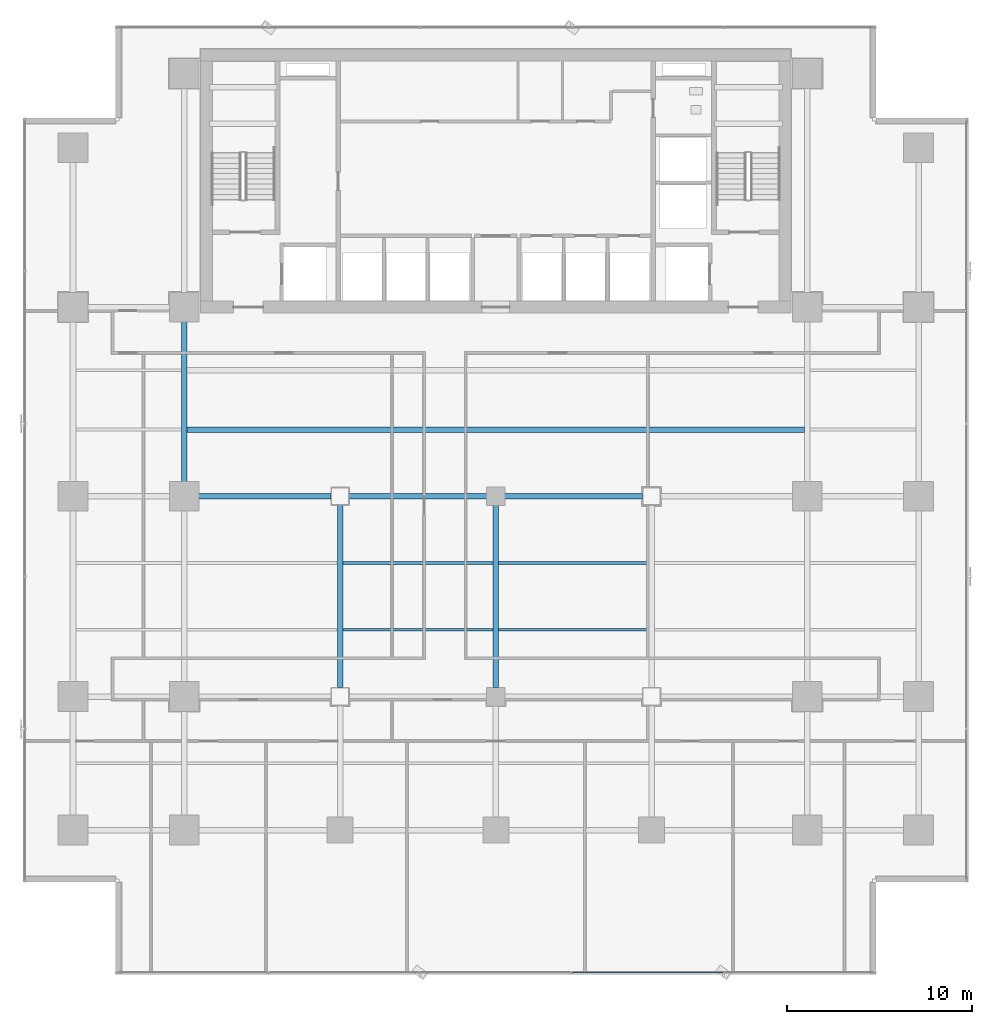
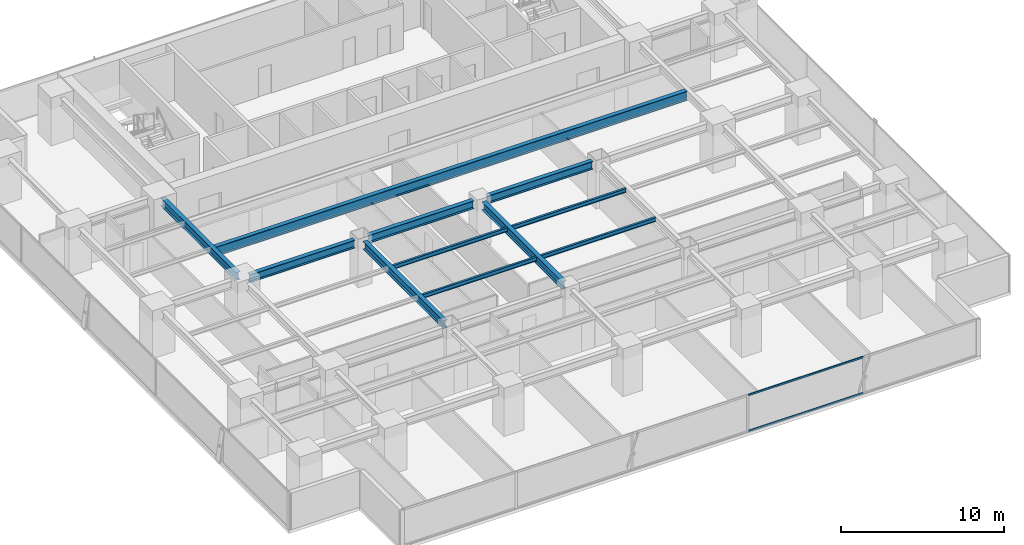
# One storey, part 11 of 37: 11 beams, 2 members, 1 element without a shape of its own.
"""IFC4 building model written with IfcOpenShell, lengths in metres."""

from ifc_helpers import new_model, si_unit, direction, frame, origin, origin_2d, place, context, subcontext, project, spatial, hollow_rectangle, i_section, extrude, source, transform, mapped, material, layer, layer_set, material_profile, profile_set, type_object, element, aggregate, save


model = new_model("IFC4")

# Units and contexts
model_context = context("Model", 3, precision=1e-05, world=origin(), true_north=direction((0.0, 1.0)))
body_context = subcontext(model_context, "Body", "Model", "MODEL_VIEW")
ifc_project = project(units=[si_unit("LENGTHUNIT", "METRE"), si_unit("AREAUNIT", "SQUARE_METRE"), si_unit("VOLUMEUNIT", "CUBIC_METRE"), si_unit("PLANEANGLEUNIT", "RADIAN"), si_unit("MASSUNIT", "GRAM", prefix="KILO")], contexts=[model_context])

# Site, building, storey
site_placement = place(None, origin())
site = spatial("IfcSite", under=ifc_project, at=site_placement, CompositionType="ELEMENT")
building_placement = place(site_placement, origin())
building = spatial("IfcBuilding", under=site, at=building_placement, Name="Sumidabori Civic Tower", CompositionType="ELEMENT")
storey_placement = place(building_placement, frame((0.0, 0.0, 81.199951171875)))
storey = spatial("IfcBuildingStorey", under=building, at=storey_placement, Name="L20", CompositionType="ELEMENT", Elevation=81.199951171875)

# Beams
ifc_material_1 = material(Name="Steel SN490", Category="steel")
ifc_material_profile_1 = material_profile(ifc_material_1, i_section(OverallWidth=0.300048828125, OverallDepth=0.60009765625, WebThickness=0.015380859375, FlangeThickness=0.030029296875, at=origin_2d()), Name="HE 600 B")
ifc_profile_set_1 = profile_set([ifc_material_profile_1], Name="Steel SN490")
beam_type_1 = type_object("IfcBeamType", Name="BM-GIRD-600", PredefinedType="BEAM", material=ifc_profile_set_1)
shared_shape_1 = source(origin(), body_context, "Body", "SweptSolid", [
    extrude(i_section(OverallWidth=0.300048828125, OverallDepth=0.60009765625, WebThickness=0.015380859375, FlangeThickness=0.030029296875, at=origin_2d()), origin(), (0.0, 0.0, 1.0), 7.440185546875),
])
beam_1_placement = place(storey_placement, frame((-16.320068359375, 0.0, 3.06005859375), z_axis=(1.0, 0.0, 0.0), x_axis=(0.0, 1.0, 0.0)))
element("IfcBeam", 1, at=beam_1_placement, inside=storey, type_object=beam_type_1, Name="Primary Girder L20 GX-14", PredefinedType="BEAM", context=body_context, shape_type="MappedRepresentation", body=[
    mapped(shared_shape_1, transform((0.0, 0.0, 0.0), x_axis=(1.0, 0.0, 0.0), y_axis=(0.0, 1.0, 0.0), z_axis=(0.0, 0.0, 1.0), scale=1.0)),
])
shared_shape_2 = source(origin(), body_context, "Body", "SweptSolid", [
    extrude(i_section(OverallWidth=0.300048828125, OverallDepth=0.60009765625, WebThickness=0.015380859375, FlangeThickness=0.030029296875, at=origin_2d()), origin(), (0.0, 0.0, 1.0), 7.43994140625),
])
for number, where, z_axis, x_axis, name in (
    (2, (-7.919921875, 0.0, 3.06005859375), (1.0, 0.0, 0.0), (0.0, 1.0, 0.0), "Primary Girder L20 GX-15"),
    (3, (0.47998046875, 0.0, 3.06005859375), (1.0, 0.0, 0.0), (0.0, 1.0, 0.0), "Primary Girder L20 GX-16"),
):
    element("IfcBeam", number, at=place(storey_placement, frame(where, z_axis=z_axis, x_axis=x_axis)), inside=storey, type_object=beam_type_1, Name=name, PredefinedType="BEAM", context=body_context, shape_type="MappedRepresentation", body=[
        mapped(shared_shape_2, transform((0.0, 0.0, 0.0), x_axis=(1.0, 0.0, 0.0), y_axis=(0.0, 1.0, 0.0), z_axis=(0.0, 0.0, 1.0), scale=1.0)),
    ])
shared_shape_3 = source(origin(), body_context, "Body", "SweptSolid", [
    extrude(i_section(OverallWidth=0.300048828125, OverallDepth=0.60009765625, WebThickness=0.015380859375, FlangeThickness=0.030029296875, at=origin_2d()), origin(), (0.0, 0.0, 1.0), 9.840087890625),
])
for number, where, z_axis, x_axis, name in (
    (4, (-8.39990234375, -10.320068359375, 3.06005859375), (0.0, 1.0, 0.0), (-1.0, 0.0, 0.0), "Primary Girder L20 GY-30"),
    (5, (0.0, -10.320068359375, 3.06005859375), (0.0, 1.0, 0.0), (-1.0, 0.0, 0.0), "Primary Girder L20 GY-32"),
):
    element("IfcBeam", number, at=place(storey_placement, frame(where, z_axis=z_axis, x_axis=x_axis)), inside=storey, type_object=beam_type_1, Name=name, PredefinedType="BEAM", context=body_context, shape_type="MappedRepresentation", body=[
        mapped(shared_shape_3, transform((0.0, 0.0, 0.0), x_axis=(1.0, 0.0, 0.0), y_axis=(0.0, 1.0, 0.0), z_axis=(0.0, 0.0, 1.0), scale=1.0)),
    ])
shared_shape_4 = source(origin(), body_context, "Body", "SweptSolid", [
    extrude(i_section(OverallWidth=0.300048828125, OverallDepth=0.60009765625, WebThickness=0.015380859375, FlangeThickness=0.030029296875, at=origin_2d()), origin(), (0.0, 0.0, 1.0), 9.239990234375),
])
beam_2_placement = place(storey_placement, frame((-16.800048828125, 0.47998046875, 3.06005859375), z_axis=(0.0, 1.0, 0.0), x_axis=(-1.0, 0.0, 0.0)))
element("IfcBeam", 6, at=beam_2_placement, inside=storey, type_object=beam_type_1, Name="Primary Girder L20 GY-27", PredefinedType="BEAM", context=body_context, shape_type="MappedRepresentation", body=[
    mapped(shared_shape_4, transform((0.0, 0.0, 0.0), x_axis=(1.0, 0.0, 0.0), y_axis=(0.0, 1.0, 0.0), z_axis=(0.0, 0.0, 1.0), scale=1.0)),
])
ifc_material_profile_2 = material_profile(ifc_material_1, i_section(OverallWidth=0.300048828125, OverallDepth=0.699951171875, WebThickness=0.01708984375, FlangeThickness=0.031982421875, at=origin_2d()), Name="HE 700 B")
ifc_profile_set_2 = profile_set([ifc_material_profile_2], Name="Steel SN490")
beam_type_2 = type_object("IfcBeamType", Name="BM-GIRD-700", PredefinedType="BEAM", material=ifc_profile_set_2)
shared_shape_5 = source(origin(), body_context, "Body", "SweptSolid", [
    extrude(i_section(OverallWidth=0.300048828125, OverallDepth=0.699951171875, WebThickness=0.01708984375, FlangeThickness=0.031982421875, at=origin_2d()), origin(), (0.0, 0.0, 1.0), 33.2998046875),
])
beam_3_placement = place(storey_placement, frame((-16.64990234375, 3.60009765625, 3.010009765625), z_axis=(1.0, 0.0, 0.0), x_axis=(0.0, 1.0, 0.0)))
element("IfcBeam", 7, at=beam_3_placement, inside=storey, type_object=beam_type_2, Name="North Bay Floor Beam L20 JSTN-53", PredefinedType="BEAM", context=body_context, shape_type="MappedRepresentation", body=[
    mapped(shared_shape_5, transform((0.0, 0.0, 0.0), x_axis=(1.0, 0.0, 0.0), y_axis=(0.0, 1.0, 0.0), z_axis=(0.0, 0.0, 1.0), scale=1.0)),
])
ifc_material_profile_3 = material_profile(ifc_material_1, i_section(OverallWidth=0.14990234375, OverallDepth=0.300048828125, WebThickness=0.007080078125, FlangeThickness=0.0107421875, at=origin_2d()), Name="IPE 300")
ifc_profile_set_3 = profile_set([ifc_material_profile_3], Name="Steel SN490")
beam_type_3 = type_object("IfcBeamType", Name="BM-JST-300", PredefinedType="JOIST", material=ifc_profile_set_3)
shared_shape_6 = source(origin(), body_context, "Body", "SweptSolid", [
    extrude(i_section(OverallWidth=0.14990234375, OverallDepth=0.300048828125, WebThickness=0.007080078125, FlangeThickness=0.0107421875, at=origin_2d()), origin(), (0.0, 0.0, 1.0), 8.10009765625),
])
for number, where, z_axis, x_axis, name in (
    (8, (-8.25, -7.199951171875, 3.2099609375), (1.0, 0.0, 0.0), (0.0, 1.0, 0.0), "South Bay Floor Joist L20 JSTS-60"),
    (9, (0.14990234375, -7.199951171875, 3.2099609375), (1.0, 0.0, 0.0), (0.0, 1.0, 0.0), "South Bay Floor Joist L20 JSTS-61"),
    (10, (-8.25, -3.60009765625, 3.2099609375), (1.0, 0.0, 0.0), (0.0, 1.0, 0.0), "South Bay Floor Joist L20 JSTS-64"),
    (11, (0.14990234375, -3.60009765625, 3.2099609375), (1.0, 0.0, 0.0), (0.0, 1.0, 0.0), "South Bay Floor Joist L20 JSTS-65"),
):
    element("IfcBeam", number, at=place(storey_placement, frame(where, z_axis=z_axis, x_axis=x_axis)), inside=storey, type_object=beam_type_3, Name=name, PredefinedType="JOIST", context=body_context, shape_type="MappedRepresentation", body=[
        mapped(shared_shape_6, transform((0.0, 0.0, 0.0), x_axis=(1.0, 0.0, 0.0), y_axis=(0.0, 1.0, 0.0), z_axis=(0.0, 0.0, 1.0), scale=1.0)),
    ])

# Curtain wall, members
ifc_material_2 = material(Name="Anodised Bronze Aluminium AW-6063-T6", Category="aluminium")
ifc_layer = layer(ifc_material_2, 0.179931640625, Name="Anodised Bronze Aluminium AW-6063-T6")
ifc_layer_set = layer_set([ifc_layer], Name="Anodised Bronze Aluminium AW-6063-T6")
curtain_wall_type = type_object("IfcCurtainWallType", Name="CW-SYS-3", PredefinedType="NOTDEFINED", material=ifc_layer_set)
curtain_wall_placement = place(storey_placement, origin())
curtain_wall = element("IfcCurtainWall", 12, at=curtain_wall_placement, inside=storey, type_object=curtain_wall_type, Name="Curtain Wall CW:L20:R01", PredefinedType="NOTDEFINED")
ifc_material_profile_4 = material_profile(ifc_material_2, hollow_rectangle(XDim=0.06005859375, YDim=0.1298828125, WallThickness=0.0048828125, at=origin_2d()), Name="ALU TRANSOM 130x60")
ifc_profile_set_4 = profile_set([ifc_material_profile_4], Name="Anodised Bronze Aluminium AW-6063-T6")
member_type = type_object("IfcMemberType", Name="CW-TRN-130", PredefinedType="USERDEFINED", material=ifc_profile_set_4)
shared_shape_7 = source(origin(), body_context, "Body", "SweptSolid", [
    extrude(hollow_rectangle(XDim=0.06005859375, YDim=0.1298828125, WallThickness=0.0048828125, at=origin_2d()), origin(), (0.0, 0.0, 1.0), 8.123046875),
])
member_1_placement = place(storey_placement, frame((4.12646484375, -25.679931640625, 0.030029296875), z_axis=(1.0, 0.0, 0.0), x_axis=(0.0, 1.0, 0.0)))
member_1 = element("IfcMember", 13, at=member_1_placement, type_object=member_type, Name="CW-3 transom 4.1", ObjectType="TRANSOM", PredefinedType="USERDEFINED", context=body_context, shape_type="MappedRepresentation", body=[
    mapped(shared_shape_7, transform((0.0, 0.0, 0.0), x_axis=(1.0, 0.0, 0.0), y_axis=(0.0, 1.0, 0.0), z_axis=(0.0, 0.0, 1.0), scale=1.0)),
])
member_2_placement = place(storey_placement, frame((4.12646484375, -25.679931640625, 2.7099609375), z_axis=(1.0, 0.0, 0.0), x_axis=(0.0, 1.0, 0.0)))
member_2 = element("IfcMember", 14, at=member_2_placement, type_object=member_type, Name="CW-3 transom 4.2", ObjectType="TRANSOM", PredefinedType="USERDEFINED", context=body_context, shape_type="MappedRepresentation", body=[
    mapped(shared_shape_7, transform((0.0, 0.0, 0.0), x_axis=(1.0, 0.0, 0.0), y_axis=(0.0, 1.0, 0.0), z_axis=(0.0, 0.0, 1.0), scale=1.0)),
])
aggregate(curtain_wall, [member_1, member_2])

save(model, "model.ifc")
